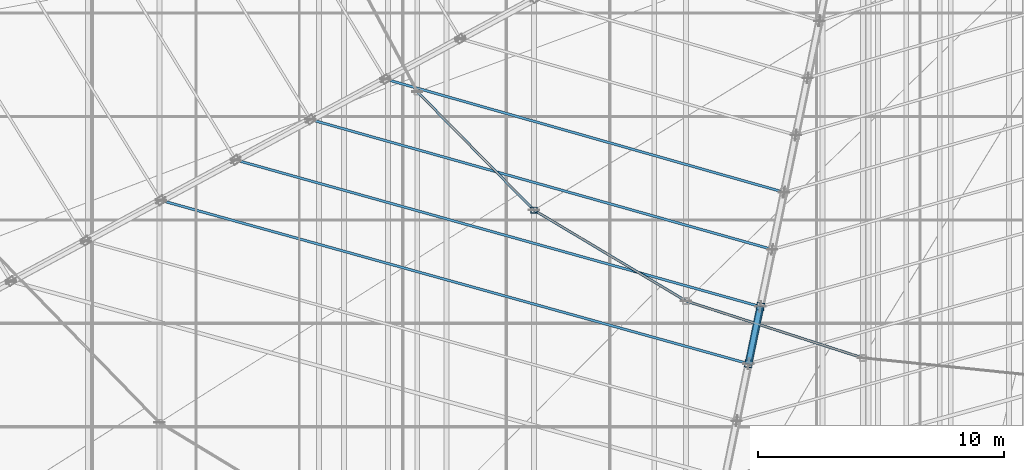
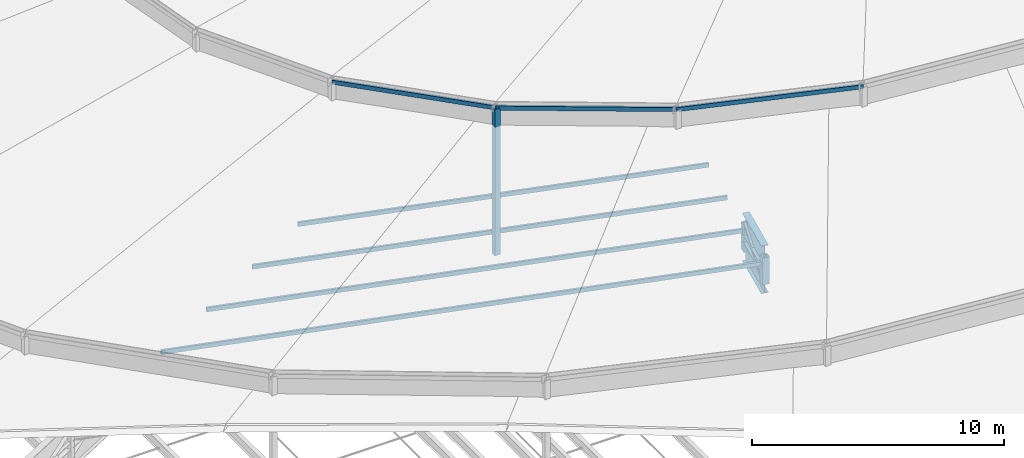
# One storey, part 46 of 184: 11 members, 2 beams.
"""IFC4 building model written with IfcOpenShell, lengths in metres."""

import ifcopenshell
import ifcopenshell.guid

model = None  # the IFC model being written
_history = None  # IfcOwnerHistory: only IFC2X3 demands one
_inside = {}  # id of a spatial element -> (the spatial element, [elements in it])
_under = {}  # id of a project, library or spatial element -> (it, [spatial elements below it])
_declared = {}  # id of a project -> (the project, [libraries it declares])
_typed = {}  # id of a type object -> (the type object, [elements of that type])
_made_of = {}  # id of a material, layer set ... -> (it, [elements and type objects made of it])


def new_model(schema):
    """Start an empty IFC model of exactly this schema.

    Asked for "IFC4X3", IfcOpenShell would pick the latest addendum, in which some entities
    have other attributes; the version numbers below select the first issue.
    IFC2X3 requires an IfcOwnerHistory on every rooted entity: one is made here for all.
    """
    global model, _history
    if schema == "IFC4X3":
        model = ifcopenshell.file(schema_version=(4, 3, 0, 0))
    else:
        model = ifcopenshell.file(schema=schema)
    _inside.clear()
    _under.clear()
    _declared.clear()
    _typed.clear()
    _made_of.clear()
    _history = None
    if model.schema == "IFC2X3":
        org = make("IfcOrganization", Name="unknown")
        user = make(
            "IfcPersonAndOrganization",
            ThePerson=make("IfcPerson", FamilyName="unknown"),
            TheOrganization=org,
        )
        app = make(
            "IfcApplication",
            ApplicationDeveloper=org,
            Version="unknown",
            ApplicationFullName="unknown",
            ApplicationIdentifier="unknown",
        )
        _history = make(
            "IfcOwnerHistory",
            OwningUser=user,
            OwningApplication=app,
            ChangeAction="ADDED",
            CreationDate=0,
        )
    return model


def make(cls, **values):
    """One entity of the class cls with the attributes given. An attribute that is None is left unset."""
    return model.create_entity(
        cls, **{name: value for name, value in values.items() if value is not None}
    )


def rooted(cls, **values):
    """An entity with a GlobalId (a new one), such as an element, a storey or a relation."""
    return make(cls, GlobalId=ifcopenshell.guid.new(), OwnerHistory=_history, **values)


def si_unit(unit_type, name, prefix=None):
    """IfcSIUnit, for example si_unit("LENGTHUNIT", "METRE", prefix="MILLI")."""
    return make("IfcSIUnit", UnitType=unit_type, Prefix=prefix, Name=name)


def assignment(units):
    """IfcUnitAssignment: the units of a project."""
    return None if units is None else make("IfcUnitAssignment", Units=units)


def point(xyz):
    """IfcCartesianPoint."""
    return None if xyz is None else make("IfcCartesianPoint", Coordinates=xyz)


def direction(xyz):
    """IfcDirection."""
    return None if xyz is None else make("IfcDirection", DirectionRatios=xyz)


def frame(location, z_axis=None, x_axis=None):
    """IfcAxis2Placement3D, a coordinate frame: its origin and axes. An axis left out is left unset."""
    return make(
        "IfcAxis2Placement3D",
        Location=point(location),
        Axis=direction(z_axis),
        RefDirection=direction(x_axis),
    )


def frame_2d(location, x_axis=None):
    """IfcAxis2Placement2D, a coordinate frame in the plane: its origin and x axis."""
    return make(
        "IfcAxis2Placement2D", Location=point(location), RefDirection=direction(x_axis)
    )


def origin():
    """The frame at (0, 0, 0) with its axes left unset."""
    return frame((0.0, 0.0, 0.0))


def origin_2d():
    """The frame at (0, 0) in the plane with its x axis left unset."""
    return frame_2d((0.0, 0.0))


def place(relative_to, where):
    """IfcLocalPlacement: puts the frame where relative to a parent placement (None: the world)."""
    return make(
        "IfcLocalPlacement", PlacementRelTo=relative_to, RelativePlacement=where
    )


def context(
    kind, dimensions, precision=None, world=None, true_north=None, identifier=None
):
    """IfcGeometricRepresentationContext, for example the 3D "Model" context."""
    return make(
        "IfcGeometricRepresentationContext",
        ContextIdentifier=identifier,
        ContextType=kind,
        CoordinateSpaceDimension=dimensions,
        Precision=precision,
        WorldCoordinateSystem=world,
        TrueNorth=true_north,
    )


def subcontext(parent, identifier, kind, view, scale=None):
    """IfcGeometricRepresentationSubContext, for example "Body" below "Model"."""
    return make(
        "IfcGeometricRepresentationSubContext",
        ContextIdentifier=identifier,
        ContextType=kind,
        ParentContext=parent,
        TargetScale=scale,
        TargetView=view,
    )


def project(units=None, contexts=None):
    """IfcProject with its units and contexts."""
    return rooted(
        "IfcProject",
        Name="project",
        RepresentationContexts=contexts,
        UnitsInContext=assignment(units),
    )


def spatial(cls, under=None, at=None, **own):
    """A site, building, storey or space (cls), placed at a placement, below another one or the project."""
    s = rooted(cls, ObjectPlacement=at, **own)
    if under is not None:
        _under.setdefault(under.id(), (under, []))[1].append(s)
    return s


def profile(cls, at=None, kind="AREA", **sizes):
    """A parametric profile (cls). Its sizes go by their IFC names, for example OverallWidth=200.0."""
    return make(cls, ProfileType=kind, Position=at, **sizes)


def hollow_rectangle(**sizes):
    """IfcRectangleHollowProfileDef."""
    return profile("IfcRectangleHollowProfileDef", **sizes)


def i_section(**sizes):
    """IfcIShapeProfileDef."""
    return profile("IfcIShapeProfileDef", **sizes)


def extrude(swept, where, along, depth):
    """IfcExtrudedAreaSolid: the profile swept, set in the frame where, extruded along a direction by depth."""
    return make(
        "IfcExtrudedAreaSolid",
        SweptArea=swept,
        Position=where,
        ExtrudedDirection=direction(along),
        Depth=depth,
    )


def shape(context_of_items, identifier, shape_type, items):
    """IfcShapeRepresentation: the items that make up one representation, for example the "Body"."""
    return make(
        "IfcShapeRepresentation",
        ContextOfItems=context_of_items,
        RepresentationIdentifier=identifier,
        RepresentationType=shape_type,
        Items=items,
    )


def material(Name=None, Category=None):
    """IfcMaterial."""
    return make("IfcMaterial", Name=Name, Category=Category)


def material_profile(
    of_material, cross_section, Name=None, Category=None, Priority=None
):
    """IfcMaterialProfile: a cross section and its material."""
    return make(
        "IfcMaterialProfile",
        Name=Name,
        Material=of_material,
        Profile=cross_section,
        Priority=Priority,
        Category=Category,
    )


def profile_set(profiles, Name=None, composite=None):
    """IfcMaterialProfileSet."""
    return make(
        "IfcMaterialProfileSet",
        Name=Name,
        MaterialProfiles=profiles,
        CompositeProfile=composite,
    )


def made_of(thing, what):
    """Note that an element or type object is made of a material, layer set ...; save() writes the relation."""
    if what is not None:
        _made_of.setdefault(what.id(), (what, []))[1].append(thing)
    return thing


def type_object(cls, material=None, **own):
    """A type object (cls), such as IfcWallType, which elements share."""
    return made_of(rooted(cls, **own), material)


def element(
    cls,
    number,
    at=None,
    inside=None,
    cuts=None,
    type_object=None,
    material=None,
    context=None,
    identifier="Body",
    shape_type=None,
    held_by="IfcProductDefinitionShape",
    body=None,
    shapes=None,
    **own,
):
    """One element of the class cls, such as IfcWall. Its Tag is "e" and its number.

    at: its placement. inside: the storey or other place that contains it. cuts: it is an
    opening in that element (IfcRelVoidsElement). A single representation is given by context,
    identifier, shape_type and body (its items); several are given by shapes. held_by: the class
    of the entity that holds the representations. save() writes the other relations.
    """
    e = rooted(cls, Tag="e%d" % number, ObjectPlacement=at, **own)
    if body is not None:
        shapes = [shape(context, identifier, shape_type, body)]
    if shapes is not None:
        e.Representation = make(held_by, Representations=shapes)
    if inside is not None:
        _inside.setdefault(inside.id(), (inside, []))[1].append(e)
    if cuts is not None:
        rooted(
            "IfcRelVoidsElement", RelatingBuildingElement=cuts, RelatedOpeningElement=e
        )
    if type_object is not None:
        _typed.setdefault(type_object.id(), (type_object, []))[1].append(e)
    return made_of(e, material)


def aggregate(whole, parts):
    """IfcRelAggregates: a whole, such as a stair, and the parts it consists of."""
    return rooted("IfcRelAggregates", RelatingObject=whole, RelatedObjects=parts)


def save(model, path):
    """Write the relations noted so far, then the file.

    IfcRelAggregates (storeys below a building ...), IfcRelContainedInSpatialStructure (elements
    in a storey), IfcRelDefinesByType, IfcRelAssociatesMaterial and IfcRelDeclares: one each for
    every whole, place, type object, material and project.
    """
    for whole, parts in _under.values():
        aggregate(whole, parts)
    for where, things in _inside.values():
        rooted(
            "IfcRelContainedInSpatialStructure",
            RelatedElements=things,
            RelatingStructure=where,
        )
    for kind, things in _typed.values():
        rooted("IfcRelDefinesByType", RelatedObjects=things, RelatingType=kind)
    for what, things in _made_of.values():
        rooted("IfcRelAssociatesMaterial", RelatedObjects=things, RelatingMaterial=what)
    for by, libraries in _declared.values():
        rooted("IfcRelDeclares", RelatingContext=by, RelatedDefinitions=libraries)
    model.write(path)


model = new_model("IFC4")

# Units and contexts
model_context = context("Model", 3, precision=1e-05, world=origin(), true_north=direction((0.0, 1.0)))
body_context = subcontext(model_context, "Body", "Model", "MODEL_VIEW")
ifc_project = project(units=[si_unit("LENGTHUNIT", "METRE"), si_unit("AREAUNIT", "SQUARE_METRE"), si_unit("VOLUMEUNIT", "CUBIC_METRE"), si_unit("PLANEANGLEUNIT", "RADIAN"), si_unit("MASSUNIT", "GRAM", prefix="KILO")], contexts=[model_context])

# Site, building, storey
site_placement = place(None, origin())
site = spatial("IfcSite", under=ifc_project, at=site_placement, CompositionType="ELEMENT")
building_placement = place(site_placement, origin())
building = spatial("IfcBuilding", under=site, at=building_placement, Name="Kalgoora Escarpment Arena", CompositionType="ELEMENT")
storey_placement = place(building_placement, frame((0.0, 0.0, 27.60009765625)))
storey = spatial("IfcBuildingStorey", under=building, at=storey_placement, Name="Roof Level", CompositionType="ELEMENT", Elevation=27.60009765625)

# Beams
ifc_material_1 = material(Name="Structural steel Grade 350 (350 MPa)", Category="steel")
ifc_material_profile_1 = material_profile(ifc_material_1, i_section(OverallWidth=0.300048828125, OverallDepth=1.010009765625, WebThickness=0.01611328125, FlangeThickness=0.030029296875, at=origin_2d()))
ifc_profile_set_1 = profile_set([ifc_material_profile_1], Name="Structural steel Grade 350 (350 MPa)")
beam_type = type_object("IfcBeamType", Name="BM-TRUSS-CHORD", PredefinedType="USERDEFINED", material=ifc_profile_set_1)
for number, where, z_axis, x_axis, name in (
    (1, (93.837646484375, 41.34814453125, -1.635009765625), (0.202584943891, 0.979262568659, 0.002040130351), (-0.979264606575, 0.202585365485, 0.0), "Radial ROOF TRUSS spine 7 bottom chord 5"),
    (2, (93.837646484375, 41.34814453125, -0.320068359375), (0.202583593754, 0.979256042318, 0.004182239347), (-0.979264606575, 0.202585365485, 0.0), "Radial ROOF TRUSS spine 7 top chord 5"),
):
    element("IfcBeam", number, at=place(storey_placement, frame(where, z_axis=z_axis, x_axis=x_axis)), inside=storey, type_object=beam_type, Name=name, ObjectType="GIRDER", PredefinedType="USERDEFINED", context=body_context, shape_type="SweptSolid", body=[
        extrude(i_section(OverallWidth=0.300048828125, OverallDepth=1.010009765625, WebThickness=0.01611328125, FlangeThickness=0.030029296875, at=origin_2d()), origin(), (0.0, 0.0, 1.0), 2.393310546875),
    ])

# Members
ifc_material_2 = material(Name="Structural steel C450 (450 MPa)", Category="steel")
ifc_material_profile_2 = material_profile(ifc_material_2, hollow_rectangle(XDim=0.25, YDim=0.25, WallThickness=0.012451171875, at=origin_2d()))
ifc_profile_set_2 = profile_set([ifc_material_profile_2], Name="Structural steel C450 (450 MPa)")
member_type_1 = type_object("IfcMemberType", Name="MEM-PETAL-POST", PredefinedType="POST", material=ifc_profile_set_2)
member_1_placement = place(storey_placement, frame((85.128173828125, 47.59521484375, -0.960205078125), z_axis=(0.0, 0.0, 1.0), x_axis=(1.0, 0.0, 0.0)))
element("IfcMember", 3, at=member_1_placement, inside=storey, type_object=member_type_1, Name="Petal RP4 vertical support post S16", PredefinedType="POST", context=body_context, shape_type="SweptSolid", body=[
    extrude(hollow_rectangle(XDim=0.25, YDim=0.25, WallThickness=0.012451171875, at=origin_2d()), origin(), (0.0, 0.0, 1.0), 7.105224609375),
])
ifc_material_3 = material(Name="Structural steel C350 (350 MPa)", Category="steel")
ifc_material_profile_3 = material_profile(ifc_material_3, hollow_rectangle(XDim=0.10009765625, YDim=0.199951171875, WallThickness=0.009033203125, at=origin_2d()))
ifc_profile_set_3 = profile_set([ifc_material_profile_3], Name="Structural steel C350 (350 MPa)")
member_type_2 = type_object("IfcMemberType", Name="MEM-PURLIN-RHS", PredefinedType="PURLIN", material=ifc_profile_set_3)
member_2_placement = place(storey_placement, frame((69.982177734375, 47.9912109375, -0.670166015625), z_axis=(0.963477218011, -0.267790310456, 0.0), x_axis=(0.267790310456, 0.963477218011, 0.0)))
element("IfcMember", 4, at=member_2_placement, inside=storey, type_object=member_type_2, Name="Roof circumferential purlin ring 4 sector 6", PredefinedType="PURLIN", context=body_context, shape_type="SweptSolid", body=[
    extrude(hollow_rectangle(XDim=0.10009765625, YDim=0.199951171875, WallThickness=0.009033203125, at=origin_2d()), origin(), (0.0, 0.0, 1.0), 24.76220703125),
])
member_3_placement = place(storey_placement, frame((73.02197265625, 49.631591796875, -0.66015625), z_axis=(0.963102515749, -0.269134806664, 0.0), x_axis=(0.269134806664, 0.963102515749, 0.0)))
element("IfcMember", 5, at=member_3_placement, inside=storey, type_object=member_type_2, Name="Roof circumferential purlin ring 5 sector 6", PredefinedType="PURLIN", context=body_context, shape_type="SweptSolid", body=[
    extrude(hollow_rectangle(XDim=0.10009765625, YDim=0.199951171875, WallThickness=0.009033203125, at=origin_2d()), origin(), (0.0, 0.0, 1.0), 22.114013671875),
])
member_4_placement = place(storey_placement, frame((76.061767578125, 51.272216796875, -0.650146484375), z_axis=(0.962623149743, -0.270844367817, 0.0), x_axis=(0.270844367817, 0.962623149743, 0.0)))
element("IfcMember", 6, at=member_4_placement, inside=storey, type_object=member_type_2, Name="Roof circumferential purlin ring 6 sector 6", PredefinedType="PURLIN", context=body_context, shape_type="SweptSolid", body=[
    extrude(hollow_rectangle(XDim=0.10009765625, YDim=0.199951171875, WallThickness=0.009033203125, at=origin_2d()), origin(), (0.0, 0.0, 1.0), 19.4658203125),
])
member_5_placement = place(storey_placement, frame((79.101318359375, 52.91259765625, -0.64013671875), z_axis=(0.961993097534, -0.273073763471, 0.0), x_axis=(0.273073763471, 0.961993097534, 0.0)))
element("IfcMember", 7, at=member_5_placement, inside=storey, type_object=member_type_2, Name="Roof circumferential purlin ring 7 sector 6", PredefinedType="PURLIN", context=body_context, shape_type="SweptSolid", body=[
    extrude(hollow_rectangle(XDim=0.10009765625, YDim=0.199951171875, WallThickness=0.009033203125, at=origin_2d()), origin(), (0.0, 0.0, 1.0), 16.81787109375),
])
member_6_placement = place(storey_placement, frame((80.392333984375, 52.39990234375, 6.125), z_axis=(0.701985782774, -0.712190958088, 0.0), x_axis=(0.712190958088, 0.701985782774, 0.0)))
element("IfcMember", 8, at=member_6_placement, inside=storey, type_object=member_type_2, Name="Petal RP4 eave support ring purlin S15", PredefinedType="PURLIN", context=body_context, shape_type="SweptSolid", body=[
    extrude(hollow_rectangle(XDim=0.10009765625, YDim=0.199951171875, WallThickness=0.009033203125, at=origin_2d()), origin(), (0.0, 0.0, 1.0), 6.746337890625),
])
member_7_placement = place(storey_placement, frame((85.128173828125, 47.59521484375, 6.125), z_axis=(0.858480144362, -0.51284680143, 0.0), x_axis=(0.51284680143, 0.858480144362, 0.0)))
element("IfcMember", 9, at=member_7_placement, inside=storey, type_object=member_type_2, Name="Petal RP4 eave support ring purlin S16", PredefinedType="PURLIN", context=body_context, shape_type="SweptSolid", body=[
    extrude(hollow_rectangle(XDim=0.10009765625, YDim=0.199951171875, WallThickness=0.009033203125, at=origin_2d()), origin(), (0.0, 0.0, 1.0), 7.189208984375),
])
member_8_placement = place(storey_placement, frame((91.300048828125, 43.908203125, 6.125), z_axis=(0.951741215893, -0.306901707343, 0.0), x_axis=(0.306901707343, 0.951741215893, 0.0)))
element("IfcMember", 10, at=member_8_placement, inside=storey, type_object=member_type_2, Name="Petal RP4 eave support ring purlin S17", PredefinedType="PURLIN", context=body_context, shape_type="SweptSolid", body=[
    extrude(hollow_rectangle(XDim=0.10009765625, YDim=0.199951171875, WallThickness=0.009033203125, at=origin_2d()), origin(), (0.0, 0.0, 1.0), 7.5517578125),
])
ifc_material_4 = material(Name="Structural steel C350 (350 MPa)", Category="steel")
ifc_material_profile_4 = material_profile(ifc_material_4, hollow_rectangle(XDim=0.199951171875, YDim=0.199951171875, WallThickness=0.009033203125, at=origin_2d()))
ifc_profile_set_4 = profile_set([ifc_material_profile_4], Name="Structural steel C350 (350 MPa)")
member_type_3 = type_object("IfcMemberType", Name="MEM-TRUSS-DIAG", PredefinedType="BRACE", material=ifc_profile_set_4)
member_9_placement = place(storey_placement, frame((93.840087890625, 41.360107421875, -1.635009765625), z_axis=(0.176833537507, 0.854665449334, 0.488136118032), x_axis=(-0.236394850847, -0.444554187717, 0.863995977234)))
element("IfcMember", 11, at=member_9_placement, inside=storey, type_object=member_type_3, Name="Radial ROOF TRUSS spine 7 web diagonal 5", PredefinedType="BRACE", context=body_context, shape_type="SweptSolid", body=[
    extrude(hollow_rectangle(XDim=0.199951171875, YDim=0.199951171875, WallThickness=0.009033203125, at=origin_2d()), origin(), (0.0, 0.0, 1.0), 2.71435546875),
])
ifc_material_5 = material(Name="Structural steel C450 (450 MPa)", Category="steel")
ifc_material_profile_5 = material_profile(ifc_material_5, hollow_rectangle(XDim=0.300048828125, YDim=0.300048828125, WallThickness=0.012451171875, at=origin_2d()))
ifc_profile_set_5 = profile_set([ifc_material_profile_5], Name="Structural steel C450 (450 MPa)")
member_type_4 = type_object("IfcMemberType", Name="MEM-TRUSS-POST", PredefinedType="POST", material=ifc_profile_set_5)
member_10_placement = place(storey_placement, frame((93.840087890625, 41.360107421875, -1.635009765625), z_axis=(0.0, 0.0, 1.0), x_axis=(0.141419587774, 0.989949746297, 0.0)))
element("IfcMember", 12, at=member_10_placement, inside=storey, type_object=member_type_4, Name="Radial ROOF TRUSS spine 7 post 4", PredefinedType="POST", context=body_context, shape_type="SweptSolid", body=[
    extrude(hollow_rectangle(XDim=0.300048828125, YDim=0.300048828125, WallThickness=0.012451171875, at=origin_2d()), origin(), (0.0, 0.0, 1.0), 1.31494140625),
])
member_11_placement = place(storey_placement, frame((94.320068359375, 43.679931640625, -1.630126953125), z_axis=(0.0, 0.0, 1.0), x_axis=(0.141419587774, 0.989949746297, 0.0)))
element("IfcMember", 13, at=member_11_placement, inside=storey, type_object=member_type_4, Name="Radial ROOF TRUSS spine 7 post 5", PredefinedType="POST", context=body_context, shape_type="SweptSolid", body=[
    extrude(hollow_rectangle(XDim=0.300048828125, YDim=0.300048828125, WallThickness=0.012451171875, at=origin_2d()), origin(), (0.0, 0.0, 1.0), 1.320068359375),
])

save(model, "model.ifc")
